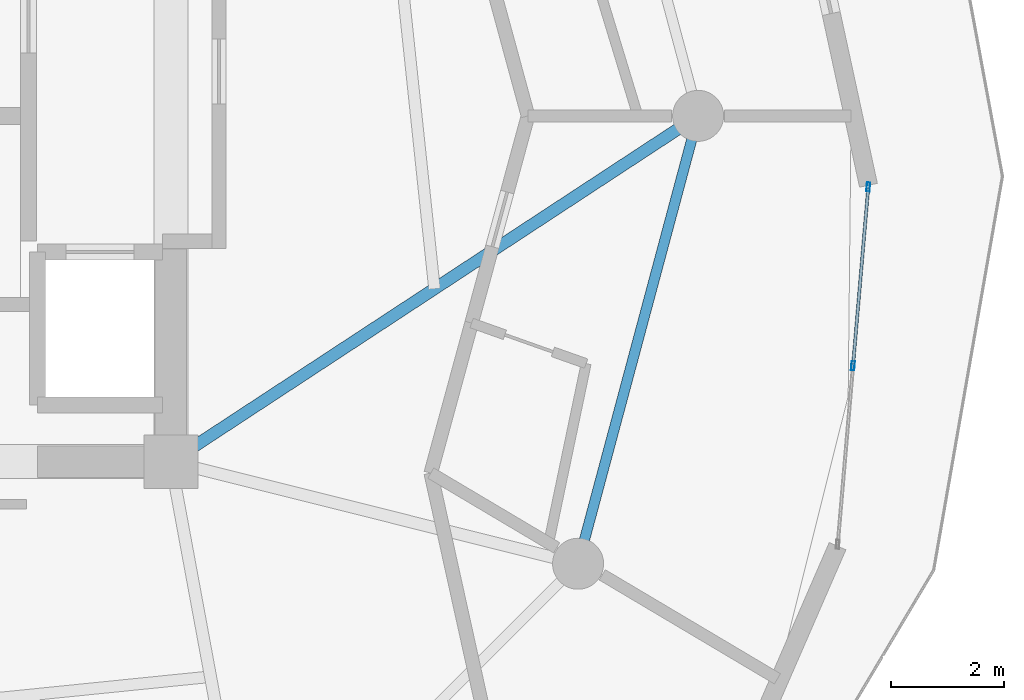
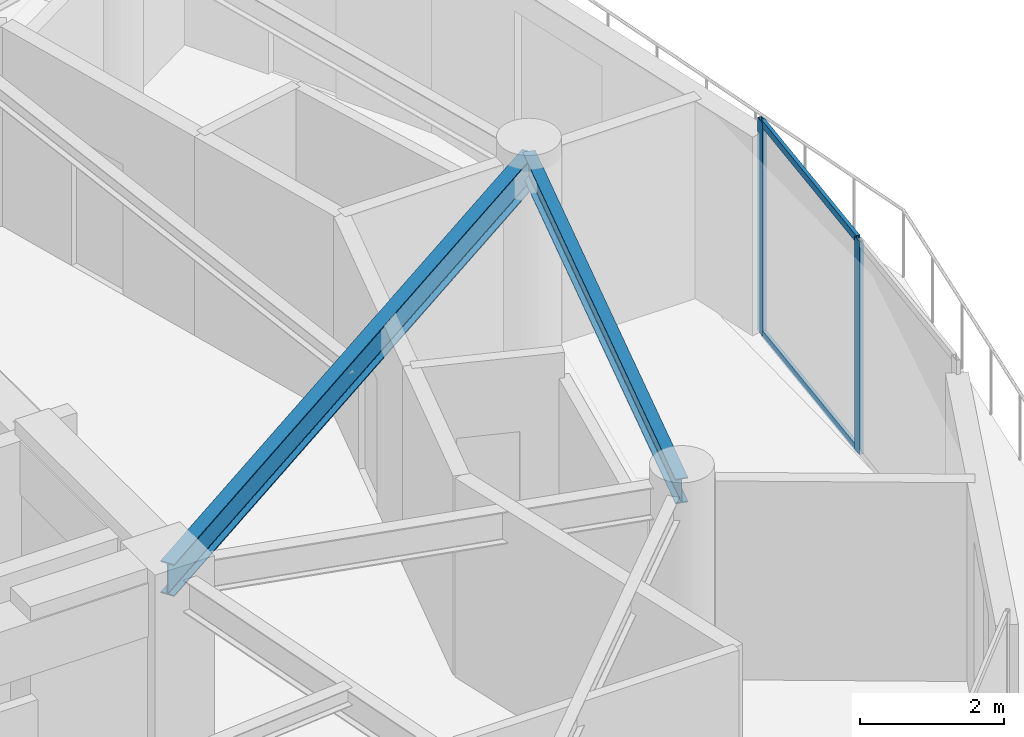
# One storey, part 12 of 23: 4 members, 2 beams, 1 element without a shape of its own.
"""IFC4 building model written with IfcOpenShell, lengths in metres."""

from ifc_helpers import new_model, si_unit, direction, frame, origin, origin_2d, place, context, subcontext, project, spatial, hollow_rectangle, i_section, extrude, source, transform, mapped, material, layer, layer_set, material_profile, profile_set, type_object, element, aggregate, save


model = new_model("IFC4")

# Units and contexts
model_context = context("Model", 3, precision=1e-05, world=origin(), true_north=direction((0.0, 1.0)))
body_context = subcontext(model_context, "Body", "Model", "MODEL_VIEW")
ifc_project = project(units=[si_unit("LENGTHUNIT", "METRE"), si_unit("AREAUNIT", "SQUARE_METRE"), si_unit("VOLUMEUNIT", "CUBIC_METRE"), si_unit("PLANEANGLEUNIT", "RADIAN"), si_unit("MASSUNIT", "GRAM", prefix="KILO")], contexts=[model_context])

# Site, building, storey
site_placement = place(None, origin())
site = spatial("IfcSite", under=ifc_project, at=site_placement, CompositionType="ELEMENT")
building_placement = place(site_placement, origin())
building = spatial("IfcBuilding", under=site, at=building_placement, Name="Solvirekh Grand Hotel", CompositionType="ELEMENT")
storey_placement = place(building_placement, frame((0.0, 0.0, 173.199951171875)))
storey = spatial("IfcBuildingStorey", under=building, at=storey_placement, Name="L44", CompositionType="ELEMENT", Elevation=173.199951171875)

# Beams
ifc_material_1 = material(Name="Steel S355", Category="steel")
ifc_material_profile_1 = material_profile(ifc_material_1, i_section(OverallWidth=0.2119140625, OverallDepth=0.5439453125, WebThickness=0.011962890625, FlangeThickness=0.01904296875, FilletRadius=0.013916015625, at=origin_2d()), Name="W530X123")
ifc_profile_set_1 = profile_set([ifc_material_profile_1], Name="Steel S355")
beam_type_1 = type_object("IfcBeamType", Name="Beam_Radial_W530H", PredefinedType="BEAM", material=ifc_profile_set_1)
beam_1_placement = place(storey_placement, frame((6.5, -6.10009765625, 3.088134765625), z_axis=(0.836174064962, 0.548464158432, 0.0), x_axis=(-0.548464158432, 0.836174064962, 0.0)))
element("IfcBeam", 1, at=beam_1_placement, inside=storey, type_object=beam_type_1, Name="L44 radial floor beam R01", PredefinedType="BEAM", context=body_context, shape_type="SweptSolid", body=[
    extrude(i_section(OverallWidth=0.2119140625, OverallDepth=0.5439453125, WebThickness=0.011962890625, FlangeThickness=0.01904296875, FilletRadius=0.013916015625, at=origin_2d()), origin(), (0.0, 0.0, 1.0), 11.1220703125),
])
ifc_material_profile_2 = material_profile(ifc_material_1, i_section(OverallWidth=0.180908203125, OverallDepth=0.4169921875, WebThickness=0.010009765625, FlangeThickness=0.01611328125, FilletRadius=0.011962890625, at=origin_2d()), Name="W410X85")
ifc_profile_set_2 = profile_set([ifc_material_profile_2], Name="Steel S355")
beam_type_2 = type_object("IfcBeamType", Name="Spandrel_Ring_W410", PredefinedType="SPANDREL", material=ifc_profile_set_2)
beam_2_placement = place(storey_placement, frame((13.68310546875, -7.89990234375, 3.152099609375), z_axis=(0.258838541915, 0.965920601923, 0.0), x_axis=(-0.965920601923, 0.258838541915, 0.0)))
element("IfcBeam", 2, at=beam_2_placement, inside=storey, type_object=beam_type_2, Name="L44 perimeter spandrel beam 12", PredefinedType="SPANDREL", context=body_context, shape_type="SweptSolid", body=[
    extrude(i_section(OverallWidth=0.180908203125, OverallDepth=0.4169921875, WebThickness=0.010009765625, FlangeThickness=0.01611328125, FilletRadius=0.011962890625, at=origin_2d()), origin(), (0.0, 0.0, 1.0), 8.1787109375),
])

# Curtain wall, members
ifc_material_2 = material(Name="Anodized Bronze Aluminium 6063-T6", Category="aluminium")
ifc_layer = layer(ifc_material_2, 0.159912109375)
ifc_layer_set = layer_set([ifc_layer], Name="Anodized Bronze Aluminium 6063-T6")
curtain_wall_type = type_object("IfcCurtainWallType", Name="CW_Sys4_HighZoneFlushBronzeCW", PredefinedType="NOTDEFINED", material=ifc_layer_set)
curtain_wall_placement = place(storey_placement, origin())
curtain_wall = element("IfcCurtainWall", 3, at=curtain_wall_placement, inside=storey, type_object=curtain_wall_type, Name="L44 unitised bronze-glass curtain wall CW-L44-C03", PredefinedType="NOTDEFINED")
ifc_material_profile_3 = material_profile(ifc_material_2, hollow_rectangle(XDim=0.06005859375, YDim=0.159912109375, WallThickness=0.0048828125, at=origin_2d()), Name="ALU RHS 160X60X5")
ifc_profile_set_3 = profile_set([ifc_material_profile_3], Name="Anodized Bronze Aluminium 6063-T6")
member_type_1 = type_object("IfcMemberType", Name="CWMullion_Sys4", PredefinedType="MULLION", material=ifc_profile_set_3)
shared_shape_1 = source(origin(), body_context, "Body", "SweptSolid", [
    extrude(hollow_rectangle(XDim=0.06005859375, YDim=0.159912109375, WallThickness=0.0048828125, at=origin_2d()), origin(), (0.0, 0.0, 1.0), 3.60009765625),
])
member_1_placement = place(storey_placement, frame((18.532470703125, -4.406982421875, 0.0), z_axis=(0.0, 0.0, 1.0), x_axis=(-0.996355395292, 0.085299040279, 0.0)))
member_1 = element("IfcMember", 4, at=member_1_placement, type_object=member_type_1, Name="U04 mullion 2", PredefinedType="MULLION", context=body_context, shape_type="MappedRepresentation", body=[
    mapped(shared_shape_1, transform((0.0, 0.0, 0.0), x_axis=(1.0, 0.0, 0.0), y_axis=(0.0, 1.0, 0.0), z_axis=(0.0, 0.0, 1.0), scale=1.0)),
])
member_2_placement = place(storey_placement, frame((18.802490234375, -1.25390625, 0.0), z_axis=(0.0, 0.0, 1.0), x_axis=(-0.996355395292, 0.085299040279, 0.0)))
member_2 = element("IfcMember", 5, at=member_2_placement, type_object=member_type_1, Name="U04 mullion 3", PredefinedType="MULLION", context=body_context, shape_type="MappedRepresentation", body=[
    mapped(shared_shape_1, transform((0.0, 0.0, 0.0), x_axis=(1.0, 0.0, 0.0), y_axis=(0.0, 1.0, 0.0), z_axis=(0.0, 0.0, 1.0), scale=1.0)),
])
ifc_material_profile_4 = material_profile(ifc_material_2, hollow_rectangle(XDim=0.054931640625, YDim=0.1201171875, WallThickness=0.00390625, at=origin_2d()), Name="ALU RHS 120X55X4")
ifc_profile_set_4 = profile_set([ifc_material_profile_4], Name="Anodized Bronze Aluminium 6063-T6")
member_type_2 = type_object("IfcMemberType", Name="CWTransom_Sys4", PredefinedType="USERDEFINED", material=ifc_profile_set_4)
shared_shape_2 = source(origin(), body_context, "Body", "SweptSolid", [
    extrude(hollow_rectangle(XDim=0.054931640625, YDim=0.1201171875, WallThickness=0.00390625, at=origin_2d()), origin(), (0.0, 0.0, 1.0), 3.104736328125),
])
member_3_placement = place(storey_placement, frame((18.53515625, -4.377197265625, 0.027587890625), z_axis=(0.085238330087, 0.996360590893, 0.0), x_axis=(-0.996360590893, 0.085238330087, 0.0)))
member_3 = element("IfcMember", 6, at=member_3_placement, type_object=member_type_2, Name="U04 transom 2.1", ObjectType="TRANSOM", PredefinedType="USERDEFINED", context=body_context, shape_type="MappedRepresentation", body=[
    mapped(shared_shape_2, transform((0.0, 0.0, 0.0), x_axis=(1.0, 0.0, 0.0), y_axis=(0.0, 1.0, 0.0), z_axis=(0.0, 0.0, 1.0), scale=1.0)),
])
member_4_placement = place(storey_placement, frame((18.53515625, -4.377197265625, 3.572509765625), z_axis=(0.085238330087, 0.996360590893, 0.0), x_axis=(-0.996360590893, 0.085238330087, 0.0)))
member_4 = element("IfcMember", 7, at=member_4_placement, type_object=member_type_2, Name="U04 transom 2.2", ObjectType="TRANSOM", PredefinedType="USERDEFINED", context=body_context, shape_type="MappedRepresentation", body=[
    mapped(shared_shape_2, transform((0.0, 0.0, 0.0), x_axis=(1.0, 0.0, 0.0), y_axis=(0.0, 1.0, 0.0), z_axis=(0.0, 0.0, 1.0), scale=1.0)),
])
aggregate(curtain_wall, [member_1, member_2, member_3, member_4])

save(model, "model.ifc")
